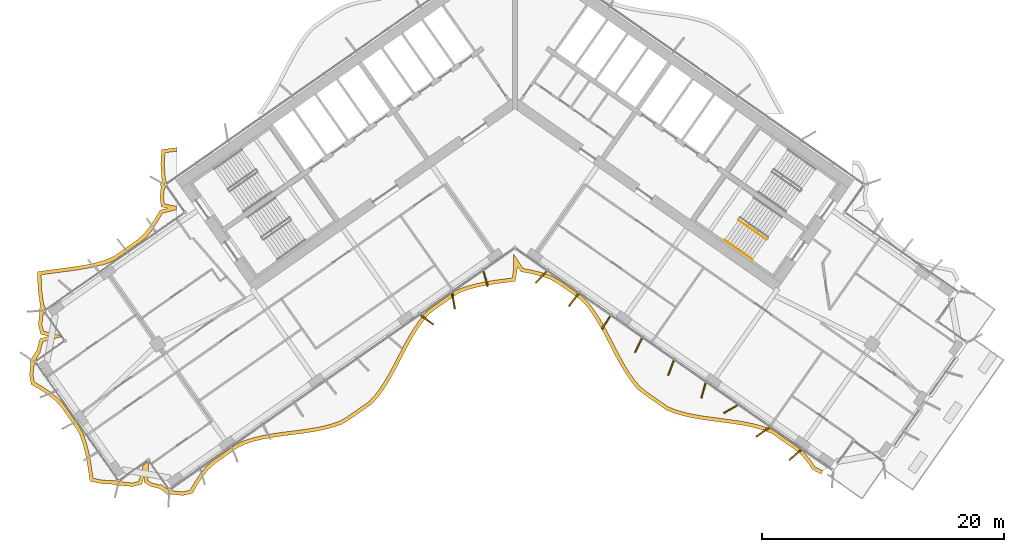
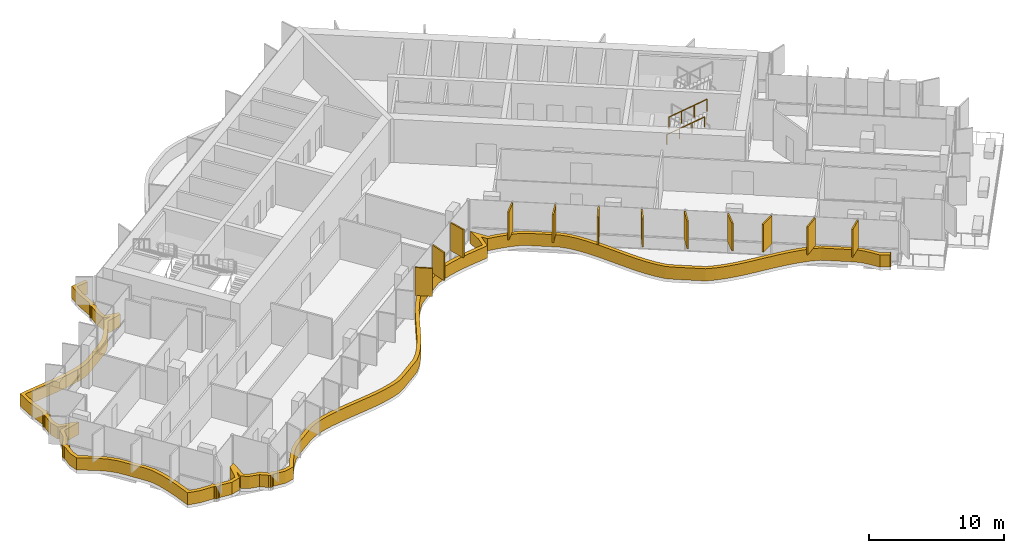
# One storey, part 19 of 22: 13 shading devices, 2 railings.
"""IFC4 building model written with IfcOpenShell, lengths in metres."""

from ifc_helpers import new_model, si_unit, direction, frame, origin, origin_2d, place, context, subcontext, project, spatial, polyline, rectangle, circle, outline, extrude, material, layer, layer_set, type_object, element, save


model = new_model("IFC4")

# Units and contexts
model_context = context("Model", 3, precision=1e-05, world=origin(), true_north=direction((0.0, 1.0)))
body_context = subcontext(model_context, "Body", "Model", "MODEL_VIEW")
ifc_project = project(units=[si_unit("LENGTHUNIT", "METRE"), si_unit("AREAUNIT", "SQUARE_METRE"), si_unit("VOLUMEUNIT", "CUBIC_METRE"), si_unit("PLANEANGLEUNIT", "RADIAN"), si_unit("MASSUNIT", "GRAM", prefix="KILO")], contexts=[model_context])

# Site, building, storey
site_placement = place(None, origin())
site = spatial("IfcSite", under=ifc_project, at=site_placement, CompositionType="ELEMENT")
building_placement = place(site_placement, origin())
building = spatial("IfcBuilding", under=site, at=building_placement, Name="Tel Ilan Convention Tower", CompositionType="ELEMENT")
storey_placement = place(building_placement, frame((0.0, 0.0, 143.699951171875)))
storey = spatial("IfcBuildingStorey", under=building, at=storey_placement, Name="L32", CompositionType="ELEMENT", Elevation=143.699951171875)

# Shading devices
ifc_material_1 = material(Name="Aluminium, bronze anodised", Category="aluminium")
ifc_layer_1 = layer(ifc_material_1, 0.1201171875)
ifc_layer_set_1 = layer_set([ifc_layer_1], Name="FIN BRONZE 1300x120")
shading_device_type_1 = type_object("IfcShadingDeviceType", Name="FIN BRONZE 1300x120", PredefinedType="USERDEFINED", material=ifc_layer_set_1)
for number, where, z_axis, x_axis, name in (
    (1, (-7.2451171875, -18.663330078125, 1.10009765625), (0.0, 0.0, 1.0), (0.813552070258, -0.581492071294, 0.0), "FIN"),
    (2, (-5.06298828125, -17.11279296875, 1.10009765625), (0.0, 0.0, 1.0), (0.173648177667, -0.984807753012, 0.0), "FIN"),
    (3, (-2.40966796875, -15.27734375, 1.10009765625), (0.0, 0.0, 1.0), (0.268172612768, -0.963370878614, 0.0), "FIN"),
    (4, (2.174560546875, -15.1357421875, 1.10009765625), (0.0, 0.0, 1.0), (-0.686241637865, -0.727373641577, 0.0), "FIN"),
    (5, (4.850830078125, -17.01025390625, 1.10009765625), (0.0, 0.0, 1.0), (-0.612600545196, -0.790392669516, 0.0), "FIN"),
    (6, (7.527587890625, -18.884521484375, 1.10009765625), (0.0, 0.0, 1.0), (-0.533204432798, -0.845986425922, 0.0), "FIN"),
    (7, (10.204345703125, -20.758544921875, 1.10009765625), (0.0, 0.0, 1.0), (-0.448799180206, -0.893632640321, 0.0), "FIN"),
    (8, (12.884033203125, -22.626953125, 1.10009765625), (0.0, 0.0, 1.0), (-0.360177724803, -0.932883704733, 0.0), "FIN"),
    (9, (15.565673828125, -24.489501953125, 1.10009765625), (0.0, 0.0, 1.0), (-0.268172612768, -0.963370878614, 0.0), "FIN"),
    (10, (17.79931640625, -26.03076171875, 1.10009765625), (0.0, 0.0, 1.0), (-0.866025403784, -0.5, 0.0), "FIN"),
    (11, (20.461669921875, -27.91748046875, 1.10009765625), (0.0, 0.0, 1.0), (-0.813552070258, -0.581492071294, 0.0), "FIN"),
    (12, (23.129150390625, -29.800537109375, 1.10009765625), (0.0, 0.0, 1.0), (-0.753435896329, -0.657521368568, 0.0), "FIN"),
):
    element("IfcShadingDevice", number, at=place(storey_placement, frame(where, z_axis=z_axis, x_axis=x_axis)), inside=storey, type_object=shading_device_type_1, Name=name, ObjectType="FIN", PredefinedType="USERDEFINED", context=body_context, shape_type="SweptSolid", body=[
        extrude(rectangle(XDim=1.300048828125, YDim=0.1201171875, at=origin_2d()), origin(), (0.0, 0.0, 1.0), 2.52001953125),
    ])
ifc_material_2 = material(Name="Aluminium, bronze anodised", Category="aluminium")
ifc_layer_2 = layer(ifc_material_2, 0.300048828125)
ifc_layer_set_2 = layer_set([ifc_layer_2], Name="LOUVRE BAND 300x1100")
shading_device_type_2 = type_object("IfcShadingDeviceType", Name="LOUVRE BAND 300x1100", PredefinedType="USERDEFINED", material=ifc_layer_set_2)
shading_device_placement = place(storey_placement, origin())
element("IfcShadingDevice", 13, at=shading_device_placement, inside=storey, type_object=shading_device_type_2, Name="LOUVRE BAND 26.02", ObjectType="LOUVRE", PredefinedType="USERDEFINED", context=body_context, shape_type="SweptSolid", body=[
    extrude(outline(polyline([(-40.0625, -23.190673828125), (-39.92822265625, -23.97265625), (-39.250732421875, -24.374267578125), (-38.60546875, -24.798583984375), (-38.006591796875, -25.25537109375), (-37.49755859375, -25.77490234375), (-36.2626953125, -27.53857421875), (-35.8984375, -28.15966796875), (-35.6572265625, -28.86669921875), (-35.46484375, -29.608154296875), (-35.312744140625, -30.377685546875), (-35.189697265625, -31.167724609375), (-35.07666015625, -31.964599609375), (-34.1298828125, -32.177734375), (-32.96484375, -32.238037109375), (-32.93603515625, -32.281494140625), (-32.838623046875, -32.346435546875), (-32.723876953125, -32.369384765625), (-32.609130859375, -32.346435546875), (-32.554931640625, -32.310302734375), (-31.562744140625, -32.420166015625), (-30.788818359375, -32.2177734375), (-30.573974609375, -31.399658203125), (-30.615234375, -32.057861328125), (-30.059814453125, -32.4013671875), (-29.2880859375, -32.593505859375), (-28.79150390625, -32.97802734375), (-28.786865234375, -32.974853515625), (-28.7578125, -33.01806640625), (-28.660400390625, -33.083251953125), (-28.545654296875, -33.10595703125), (-28.430908203125, -33.083251953125), (-28.376953125, -33.047119140625), (-27.396728515625, -33.154296875), (-26.6201171875, -32.970703125), (-26.2060546875, -32.269287109375), (-25.76416015625, -31.607666015625), (-25.286865234375, -30.996826171875), (-24.7294921875, -30.500244140625), (-22.907470703125, -29.224365234375), (-22.2314453125, -28.89697265625), (-21.48779296875, -28.666259765625), (-20.7099609375, -28.484619140625), (-19.905029296875, -28.34130859375), (-19.08251953125, -28.2236328125), (-17.421875, -28.009765625), (-16.60400390625, -27.885009765625), (-15.80712890625, -27.73046875), (-15.039794921875, -27.533935546875), (-14.308837890625, -27.284912109375), (-13.6689453125, -26.906005859375), (-11.846923828125, -25.63037109375), (-11.327880859375, -25.078857421875), (-10.86279296875, -24.4501953125), (-10.43115234375, -23.7744140625), (-10.024658203125, -23.06201171875), (-9.634765625, -22.326171875), (-8.864990234375, -20.84033203125), (-8.46533203125, -20.118408203125), (-8.043212890625, -19.428466796875), (-7.59033203125, -18.782470703125), (-7.10009765625, -18.190185546875), (-6.5087890625, -17.741943359375), (-4.686767578125, -16.466064453125), (-3.97021484375, -16.19677734375), (-3.214599609375, -15.983154296875), (-2.427001953125, -15.8154296875), (-1.615234375, -15.681884765625), (0.04248046875, -15.464111328125), (0.2060546875, -14.405029296875), (0.201416015625, -14.22314453125), (0.51220703125, -14.685546875), (1.31689453125, -14.835693359375), (2.093017578125, -15.0263671875), (2.833251953125, -15.268798828125), (3.490966796875, -15.62890625), (5.322509765625, -16.9111328125), (5.858154296875, -17.445556640625), (6.329833984375, -18.071533203125), (6.76708984375, -18.74658203125), (7.177734375, -19.45947265625), (7.57080078125, -20.197509765625), (8.343994140625, -21.69189453125), (8.744384765625, -22.41943359375), (9.166748046875, -23.11572265625), (9.61962890625, -23.768310546875), (10.110107421875, -24.3671875), (10.698486328125, -24.826171875), (12.530029296875, -26.108642578125), (13.245361328125, -26.386474609375), (14.003662109375, -26.602783203125), (14.794677734375, -26.7724609375), (15.610107421875, -26.9072265625), (18.10791015625, -27.238525390625), (18.924072265625, -27.3720703125), (19.716064453125, -27.54052734375), (20.475830078125, -27.7548828125), (21.19580078125, -28.02587890625), (23.02734375, -29.308349609375), (23.619384765625, -29.76220703125), (24.111328125, -30.35888671875), (24.565673828125, -31.009765625), (25.2314453125, -31.358154296875), (25.3125, -31.366455078125), (25.331787109375, -31.2822265625), (25.37109375, -31.1923828125), (25.4580078125, -31.080078125), (25.319580078125, -31.065673828125), (24.76953125, -30.77783203125), (24.3505859375, -30.177490234375), (23.8291015625, -29.544921875), (23.204833984375, -29.06640625), (21.3369140625, -27.758544921875), (20.569580078125, -27.469482421875), (19.7880859375, -27.2490234375), (18.9794921875, -27.077392578125), (18.15234375, -26.941650390625), (15.65478515625, -26.610595703125), (14.8505859375, -26.477783203125), (14.076416015625, -26.3115234375), (13.341064453125, -26.101806640625), (12.67236328125, -25.842041015625), (10.876953125, -24.5849609375), (10.321044921875, -24.1513671875), (9.859375, -23.58740234375), (9.41845703125, -22.9521484375), (9.004150390625, -22.269287109375), (8.608642578125, -21.55029296875), (7.83642578125, -20.058349609375), (7.440185546875, -19.31396484375), (7.02294921875, -18.590087890625), (6.575927734375, -17.8994140625), (6.085205078125, -17.248046875), (5.515869140625, -16.680419921875), (3.649658203125, -15.37353515625), (2.953125, -14.9921875), (2.17578125, -14.73779296875), (1.380126953125, -14.542236328125), (0.69091796875, -14.41357421875), (-0.12451171875, -13.200439453125), (-0.0947265625, -14.3857421875), (-0.219482421875, -15.19482421875), (-1.659912109375, -15.38525390625), (-2.482666015625, -15.5205078125), (-3.286865234375, -15.691650390625), (-4.06396484375, -15.911376953125), (-4.827880859375, -16.198486328125), (-6.685546875, -17.49951171875), (-7.308837890625, -17.97216796875), (-7.8291015625, -18.6005859375), (-8.294189453125, -19.263916015625), (-8.724609375, -19.96728515625), (-9.12939453125, -20.6982421875), (-9.900634765625, -22.1875), (-10.28759765625, -22.91748046875), (-10.68798828125, -23.619140625), (-11.110107421875, -24.280029296875), (-11.55859375, -24.88623046875), (-12.044189453125, -25.40234375), (-13.831787109375, -26.65380859375), (-14.43505859375, -27.010986328125), (-15.12548828125, -27.24609375), (-15.873046875, -27.437744140625), (-16.6552734375, -27.58935546875), (-17.4638671875, -27.712646484375), (-19.12255859375, -27.92626953125), (-19.95263671875, -28.045166015625), (-20.770263671875, -28.190673828125), (-21.56640625, -28.376708984375), (-22.341796875, -28.6171875), (-23.059814453125, -28.96484375), (-24.916015625, -30.264404296875), (-25.506591796875, -30.790771484375), (-26.007568359375, -31.431884765625), (-26.460205078125, -32.109619140625), (-26.8134765625, -32.708251953125), (-27.416015625, -32.8505859375), (-28.206298828125, -32.767578125), (-28.2998046875, -32.634033203125), (-28.545654296875, -32.805908203125), (-28.74072265625, -32.527587890625), (-28.78125, -32.555908203125), (-29.136474609375, -32.28076171875), (-29.309814453125, -32.237548828125), (-29.27490234375, -32.28759765625), (-29.94189453125, -32.12158203125), (-30.3046875, -31.897216796875), (-30.21240234375, -30.42578125), (-30.266357421875, -30.3486328125), (-30.685302734375, -30.641845703125), (-31.034423828125, -31.971923828125), (-31.58544921875, -32.115966796875), (-32.38427734375, -32.03125), (-32.4775390625, -31.89794921875), (-32.723876953125, -32.0693359375), (-32.89599609375, -31.823486328125), (-33.056640625, -31.93603515625), (-34.08837890625, -31.87939453125), (-34.80859375, -31.71728515625), (-35.017333984375, -30.325439453125), (-35.17236328125, -29.54150390625), (-35.36962890625, -28.780517578125), (-35.624267578125, -28.033935546875), (-36.010009765625, -27.376220703125), (-37.265869140625, -25.58251953125), (-37.807373046875, -25.02978515625), (-38.431884765625, -24.5537109375), (-39.091796875, -24.119873046875), (-39.656005859375, -23.78515625), (-39.760009765625, -23.18017578125), (-39.6826171875, -22.41455078125), (-39.54931640625, -22.3212890625), (-39.721435546875, -22.07568359375), (-39.44287109375, -21.880615234375), (-39.482421875, -21.824462890625), (-39.13818359375, -21.30419921875), (-39.223388671875, -21.360595703125), (-39.171142578125, -21.28173828125), (-38.953369140625, -20.452392578125), (-37.4677734375, -20.06396484375), (-37.557373046875, -19.93603515625), (-38.88720703125, -19.5869140625), (-39.031494140625, -19.035888671875), (-38.946533203125, -18.237060546875), (-38.812744140625, -18.143310546875), (-38.98486328125, -17.8974609375), (-38.706298828125, -17.702392578125), (-38.83056640625, -17.524658203125), (-38.843017578125, -17.431884765625), (-38.8798828125, -17.457763671875), (-39.0703125, -16.02099609375), (-39.097412109375, -14.9482421875), (-38.5390625, -14.860595703125), (-36.869140625, -14.64453125), (-36.031494140625, -14.52685546875), (-35.205810546875, -14.383544921875), (-34.40087890625, -14.200439453125), (-34.095703125, -14.10791015625), (-34.1787109375, -14.166015625), (-34.1748046875, -14.173583984375), (-33.604248046875, -14.000732421875), (-33.067626953125, -13.754150390625), (-30.703857421875, -12.09912109375), (-30.384033203125, -11.8203125), (-29.862060546875, -11.156494140625), (-29.86962890625, -11.148681640625), (-29.952392578125, -11.20654296875), (-29.906005859375, -11.14794921875), (-29.44873046875, -10.4658203125), (-29.09033203125, -9.859375), (-27.874755859375, -9.551025390625), (-27.874755859375, -9.287353515625), (-28.923828125, -9.080322265625), (-28.992431640625, -8.5439453125), (-28.91943359375, -7.797607421875), (-28.787353515625, -7.705322265625), (-28.958740234375, -7.458984375), (-28.713134765625, -7.286865234375), (-28.83740234375, -7.109375), (-28.93115234375, -5.783447265625), (-28.876953125, -4.86572265625), (-27.874755859375, -4.735107421875), (-27.874755859375, -4.4326171875), (-29.161865234375, -4.60107421875), (-29.231689453125, -5.78515625), (-29.127685546875, -7.218017578125), (-29.1708984375, -7.246826171875), (-29.236083984375, -7.34423828125), (-29.2587890625, -7.458984375), (-29.236083984375, -7.57373046875), (-29.199951171875, -7.6279296875), (-29.29443359375, -8.548583984375), (-29.19384765625, -9.332763671875), (-28.654541015625, -9.439208984375), (-29.284912109375, -9.59912109375), (-29.70263671875, -10.305908203125), (-30.14892578125, -10.971435546875), (-30.631591796875, -11.5849609375), (-31.197998046875, -12.078857421875), (-33.03466796875, -13.364990234375), (-33.72509765625, -13.68212890625), (-34.477783203125, -13.91015625), (-35.2646484375, -14.089111328125), (-36.078125, -14.23046875), (-36.90869140625, -14.34716796875), (-38.58203125, -14.563720703125), (-39.404052734375, -14.692626953125), (-39.369873046875, -16.044677734375), (-39.153564453125, -17.656494140625), (-39.19677734375, -17.685302734375), (-39.261962890625, -17.78271484375), (-39.28466796875, -17.8974609375), (-39.261962890625, -18.01220703125), (-39.225830078125, -18.066162109375), (-39.33544921875, -19.05859375), (-39.133056640625, -19.83251953125), (-38.452392578125, -20.01123046875), (-39.19921875, -20.20654296875), (-39.44873046875, -21.157470703125), (-39.8935546875, -21.829833984375), (-39.890380859375, -21.83447265625), (-39.93359375, -21.863525390625), (-39.99853515625, -21.9609375), (-40.021484375, -22.07568359375), (-39.99853515625, -22.1904296875), (-39.962646484375, -22.244384765625), (-40.0625, -23.190673828125)])), origin(), (0.0, 0.0, 1.0), 1.10009765625),
])

# Railings
ifc_material_3 = material(Name="Stainless Steel Grade 316", Category="steel")
railing_type_1 = type_object("IfcRailingType", Name="Stainless Steel Stair Guard 1100 mm", PredefinedType="GUARDRAIL", material=ifc_material_3)
railing_1_placement = place(storey_placement, frame((18.4599609375, -10.423095703125, 2.12744140625)))
element("IfcRailing", 14, at=railing_1_placement, inside=storey, type_object=railing_type_1, Name="L32 S4 stair guard 3", PredefinedType="GUARDRAIL", context=body_context, shape_type="SweptSolid", body=[
    extrude(circle(Radius=0.02392578125, at=origin_2d()), frame((0.0, 0.0, 1.076171875), z_axis=(0.692098378994, -0.484653031975, 0.534893701956), x_axis=(0.573608623498, 0.819129505664, 0.0)), (0.0, 0.0, 1.0), 3.314208984375),
    extrude(circle(Radius=0.02099609375, at=origin_2d()), origin(), (0.0, 0.0, 1.0), 1.052001953125),
    extrude(circle(Radius=0.02099609375, at=origin_2d()), frame((0.7646484375, -0.535400390625, 0.5908203125)), (0.0, 0.0, 1.0), 1.052001953125),
    extrude(circle(Radius=0.02099609375, at=origin_2d()), frame((1.529052734375, -1.07080078125, 1.181884765625)), (0.0, 0.0, 1.0), 1.052001953125),
    extrude(circle(Radius=0.02099609375, at=origin_2d()), frame((2.293701171875, -1.606201171875, 1.772705078125)), (0.0, 0.0, 1.0), 1.052001953125),
])
ifc_material_4 = material(Name="Stainless Steel Grade 316", Category="steel")
railing_type_2 = type_object("IfcRailingType", Name="Stainless Steel Stair Handrail 900 mm", PredefinedType="HANDRAIL", material=ifc_material_4)
railing_2_placement = place(storey_placement, frame((17.312744140625, -12.0615234375, 2.12744140625)))
element("IfcRailing", 15, at=railing_2_placement, inside=storey, type_object=railing_type_2, Name="L32 S4 stair handrail 2", PredefinedType="HANDRAIL", context=body_context, shape_type="SweptSolid", body=[
    extrude(circle(Radius=0.02392578125, at=origin_2d()), frame((0.0, 0.0, 0.8759765625), z_axis=(0.692123088272, -0.484596665743, 0.534912798717), x_axis=(0.573550118428, 0.819170471667, 0.0)), (0.0, 0.0, 1.0), 3.31396484375),
    extrude(circle(Radius=0.02099609375, at=origin_2d()), origin(), (0.0, 0.0, 1.0), 0.851806640625),
    extrude(circle(Radius=0.02099609375, at=origin_2d()), frame((0.7646484375, -0.535400390625, 0.5908203125)), (0.0, 0.0, 1.0), 0.851806640625),
    extrude(circle(Radius=0.02099609375, at=origin_2d()), frame((1.529052734375, -1.070556640625, 1.181884765625)), (0.0, 0.0, 1.0), 0.851806640625),
    extrude(circle(Radius=0.02099609375, at=origin_2d()), frame((2.293701171875, -1.60595703125, 1.772705078125)), (0.0, 0.0, 1.0), 0.851806640625),
])

save(model, "model.ifc")
